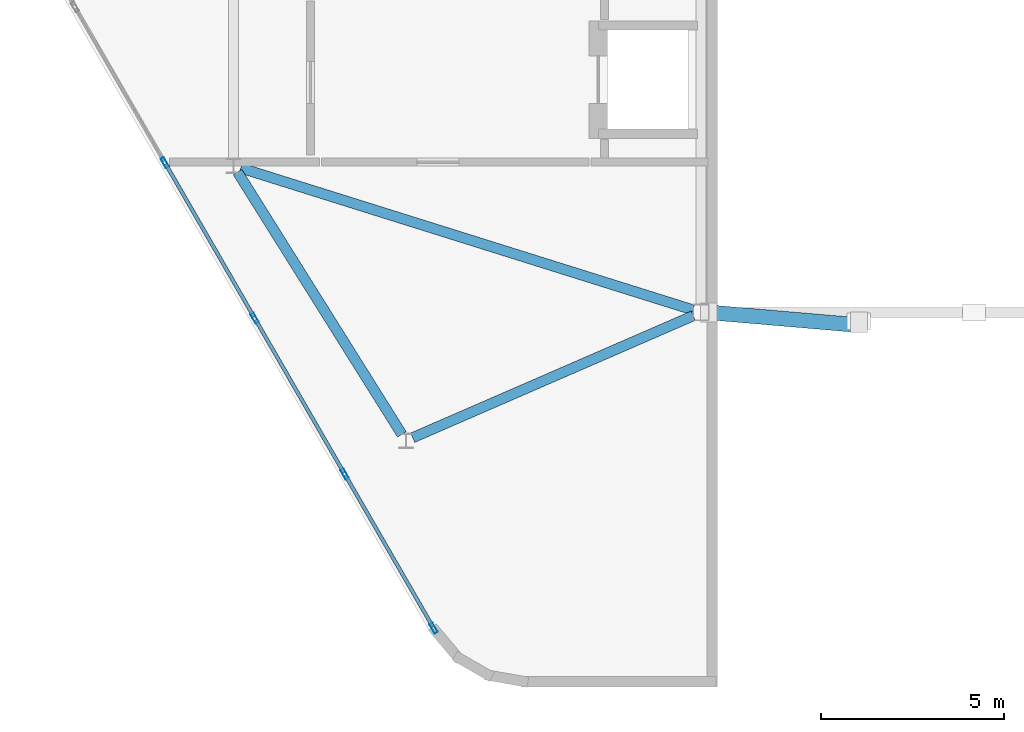
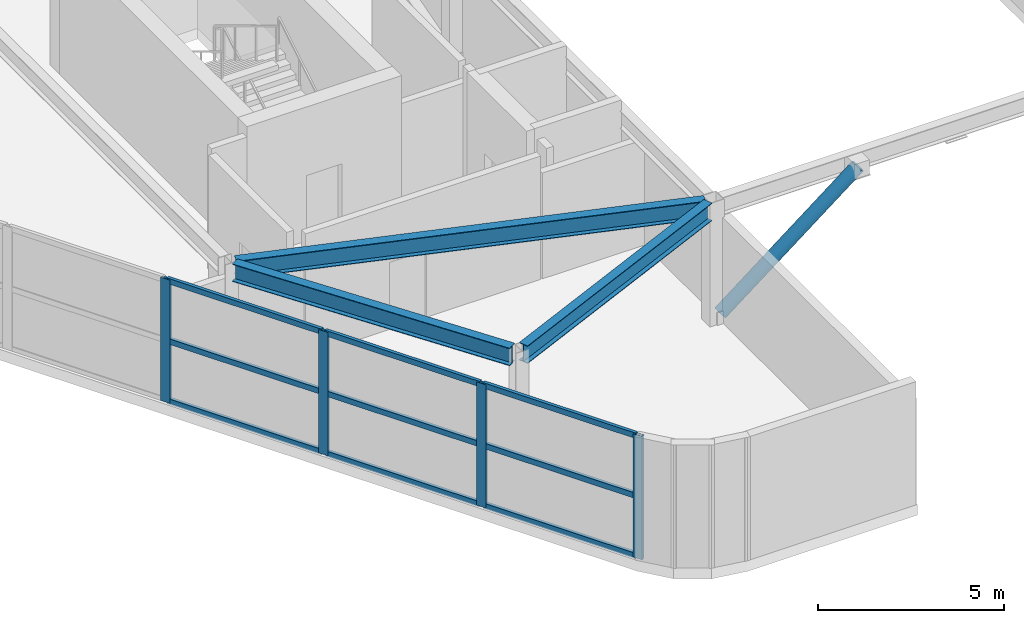
# One storey, part 3 of 16: 14 members, 3 beams, 1 element without a shape of its own.
"""IFC4 building model written with IfcOpenShell, lengths in metres."""

from ifc_helpers import new_model, si_unit, direction, frame, origin, origin_2d, place, context, subcontext, project, spatial, hollow_rectangle, hollow_circle, i_section, extrude, material, material_profile, profile_set, type_object, element, aggregate, save


model = new_model("IFC4")

# Units and contexts
model_context = context("Model", 3, precision=1e-05, world=origin(), true_north=direction((0.0, 1.0)))
body_context = subcontext(model_context, "Body", "Model", "MODEL_VIEW")
ifc_project = project(units=[si_unit("LENGTHUNIT", "METRE"), si_unit("AREAUNIT", "SQUARE_METRE"), si_unit("VOLUMEUNIT", "CUBIC_METRE"), si_unit("PLANEANGLEUNIT", "RADIAN"), si_unit("MASSUNIT", "GRAM", prefix="KILO")], contexts=[model_context])

# Site, building, storey
site_placement = place(None, origin())
site = spatial("IfcSite", under=ifc_project, at=site_placement, CompositionType="ELEMENT")
building_placement = place(site_placement, origin())
building = spatial("IfcBuilding", under=site, at=building_placement, Name="Zuhravey Tower", CompositionType="ELEMENT")
storey_placement = place(building_placement, frame((0.0, 0.0, 370.199951171875)))
storey = spatial("IfcBuildingStorey", under=building, at=storey_placement, Name="L94", CompositionType="ELEMENT", Elevation=370.199951171875)

# Curtain wall, members
ifc_material_1 = material(Name="Thermally broken anodised aluminium", Category="aluminium")
curtain_wall_type = type_object("IfcCurtainWallType", Name="Split-Top Crown Screened Curtain Wall CW6", PredefinedType="NOTDEFINED", material=ifc_material_1)
curtain_wall_placement = place(storey_placement, origin())
curtain_wall = element("IfcCurtainWall", 1, at=curtain_wall_placement, inside=storey, type_object=curtain_wall_type, Name="L94 CW6 CW6-L94-WEST-04", PredefinedType="NOTDEFINED")
ifc_material_2 = material(Name="Anodised aluminium", Category="aluminium")
ifc_material_profile_1 = material_profile(ifc_material_2, hollow_rectangle(XDim=0.10009765625, YDim=0.2900390625, WallThickness=0.006103515625, at=origin_2d()), Name="ALU-RHS-100x290x6")
ifc_profile_set_1 = profile_set([ifc_material_profile_1], Name="Anodised aluminium")
member_type_1 = type_object("IfcMemberType", Name="Heavy Tall-Storey Mullion 100x220", PredefinedType="MULLION", material=ifc_profile_set_1)
member_1_placement = place(storey_placement, frame((21.258544921875, 9.384765625, 0.0), z_axis=(0.0, 0.0, 1.0), x_axis=(-0.866027063754, -0.499997124838, 0.0)))
member_1 = element("IfcMember", 2, at=member_1_placement, type_object=member_type_1, Name="CW6 mullion 1", PredefinedType="MULLION", context=body_context, shape_type="SweptSolid", body=[
    extrude(hollow_rectangle(XDim=0.10009765625, YDim=0.2900390625, WallThickness=0.006103515625, at=origin_2d()), origin(), (0.0, 0.0, 1.0), 4.050048828125),
])
member_2_placement = place(storey_placement, frame((18.83056640625, 13.590087890625, 0.0), z_axis=(0.0, 0.0, 1.0), x_axis=(-0.866027063754, -0.499997124838, 0.0)))
member_2 = element("IfcMember", 3, at=member_2_placement, type_object=member_type_1, Name="CW6 mullion 2", PredefinedType="MULLION", context=body_context, shape_type="SweptSolid", body=[
    extrude(hollow_rectangle(XDim=0.10009765625, YDim=0.2900390625, WallThickness=0.006103515625, at=origin_2d()), origin(), (0.0, 0.0, 1.0), 4.050048828125),
])
member_3_placement = place(storey_placement, frame((16.377685546875, 17.838623046875, 0.0), z_axis=(0.0, 0.0, 1.0), x_axis=(-0.866027063754, -0.499997124838, 0.0)))
member_3 = element("IfcMember", 4, at=member_3_placement, type_object=member_type_1, Name="CW6 mullion 3", PredefinedType="MULLION", context=body_context, shape_type="SweptSolid", body=[
    extrude(hollow_rectangle(XDim=0.10009765625, YDim=0.2900390625, WallThickness=0.006103515625, at=origin_2d()), origin(), (0.0, 0.0, 1.0), 4.050048828125),
])
member_4_placement = place(storey_placement, frame((13.9248046875, 22.087158203125, 0.0), z_axis=(0.0, 0.0, 1.0), x_axis=(-0.866027063754, -0.499997124838, 0.0)))
member_4 = element("IfcMember", 5, at=member_4_placement, type_object=member_type_1, Name="CW6 mullion 4", PredefinedType="MULLION", context=body_context, shape_type="SweptSolid", body=[
    extrude(hollow_rectangle(XDim=0.10009765625, YDim=0.2900390625, WallThickness=0.006103515625, at=origin_2d()), origin(), (0.0, 0.0, 1.0), 4.050048828125),
])

# Beams
ifc_material_3 = material(Name="Steel SM355", Category="steel")
ifc_material_profile_2 = material_profile(ifc_material_3, i_section(OverallWidth=0.280029296875, OverallDepth=0.580078125, WebThickness=0.011962890625, FlangeThickness=0.01904296875, at=origin_2d()), Name="H-580x280x12x19")
ifc_profile_set_2 = profile_set([ifc_material_profile_2], Name="Steel SM355")
beam_type = type_object("IfcBeamType", Name="Perimeter Ring Beam H580x280", PredefinedType="BEAM", material=ifc_profile_set_2)
beam_1_placement = place(storey_placement, frame((15.908447265625, 21.8271484375, 3.760009765625), z_axis=(0.530996685116, -0.847373896457, 0.0), x_axis=(0.847373896457, 0.530996685116, 0.0)))
element("IfcBeam", 6, at=beam_1_placement, inside=storey, type_object=beam_type, Name="L94 PB4 BM-L94-WCR-0-2", PredefinedType="BEAM", context=body_context, shape_type="SweptSolid", body=[
    extrude(i_section(OverallWidth=0.280029296875, OverallDepth=0.580078125, WebThickness=0.011962890625, FlangeThickness=0.01904296875, at=origin_2d()), origin(), (0.0, 0.0, 1.0), 8.44287109375),
])
beam_2_placement = place(storey_placement, frame((20.68701171875, 14.581298828125, 3.760009765625), z_axis=(0.91707145158, 0.398722902147, 0.0), x_axis=(-0.398722902147, 0.91707145158, 0.0)))
element("IfcBeam", 7, at=beam_2_placement, inside=storey, type_object=beam_type, Name="L94 PB4 BM-L94-WCR-2-4", PredefinedType="BEAM", context=body_context, shape_type="SweptSolid", body=[
    extrude(i_section(OverallWidth=0.280029296875, OverallDepth=0.580078125, WebThickness=0.011962890625, FlangeThickness=0.01904296875, at=origin_2d()), origin(), (0.0, 0.0, 1.0), 8.34521484375),
])
beam_3_placement = place(storey_placement, frame((15.99462890625, 21.93896484375, 3.760009765625), z_axis=(0.954147439285, -0.299337040984, 0.0), x_axis=(0.299337040984, 0.954147439285, 0.0)))
element("IfcBeam", 8, at=beam_3_placement, inside=storey, type_object=beam_type, Name="L94 PB4 BM-L94-WCR-0-4", PredefinedType="BEAM", context=body_context, shape_type="SweptSolid", body=[
    extrude(i_section(OverallWidth=0.280029296875, OverallDepth=0.580078125, WebThickness=0.011962890625, FlangeThickness=0.01904296875, at=origin_2d()), origin(), (0.0, 0.0, 1.0), 12.9296875),
])

# Member
ifc_material_profile_3 = material_profile(ifc_material_2, hollow_rectangle(XDim=0.10009765625, YDim=0.179931640625, WallThickness=0.006103515625, at=origin_2d()), Name="ALU-RHS-100x180x6")
ifc_profile_set_3 = profile_set([ifc_material_profile_3], Name="Anodised aluminium")
member_type_2 = type_object("IfcMemberType", Name="Tall-Storey Transom 100x180", PredefinedType="USERDEFINED", material=ifc_profile_set_3)
member_5_placement = place(storey_placement, frame((21.2333984375, 9.42822265625, 0.050048828125), z_axis=(-0.499965384433, 0.866045388169, 0.0), x_axis=(-0.866045388169, -0.499965384433, 0.0)))
member_5 = element("IfcMember", 9, at=member_5_placement, type_object=member_type_2, Name="CW6 transom 1.1", ObjectType="TRANSOM", PredefinedType="USERDEFINED", context=body_context, shape_type="SweptSolid", body=[
    extrude(hollow_rectangle(XDim=0.10009765625, YDim=0.179931640625, WallThickness=0.006103515625, at=origin_2d()), origin(), (0.0, 0.0, 1.0), 4.755615234375),
])

member_6_placement = place(storey_placement, frame((21.2333984375, 9.42822265625, 2.025146484375), z_axis=(-0.499965384433, 0.866045388169, 0.0), x_axis=(-0.866045388169, -0.499965384433, 0.0)))
member_6 = element("IfcMember", 10, at=member_6_placement, type_object=member_type_2, Name="CW6 transom 1.2", ObjectType="TRANSOM", PredefinedType="USERDEFINED", context=body_context, shape_type="SweptSolid", body=[
    extrude(hollow_rectangle(XDim=0.10009765625, YDim=0.179931640625, WallThickness=0.006103515625, at=origin_2d()), origin(), (0.0, 0.0, 1.0), 4.755615234375),
])

member_7_placement = place(storey_placement, frame((21.2333984375, 9.42822265625, 4.0), z_axis=(-0.499965384433, 0.866045388169, 0.0), x_axis=(-0.866045388169, -0.499965384433, 0.0)))
member_7 = element("IfcMember", 11, at=member_7_placement, type_object=member_type_2, Name="CW6 transom 1.3", ObjectType="TRANSOM", PredefinedType="USERDEFINED", context=body_context, shape_type="SweptSolid", body=[
    extrude(hollow_rectangle(XDim=0.10009765625, YDim=0.179931640625, WallThickness=0.006103515625, at=origin_2d()), origin(), (0.0, 0.0, 1.0), 4.755615234375),
])

member_8_placement = place(storey_placement, frame((18.8056640625, 13.63330078125, 0.050048828125), z_axis=(-0.500012672123, 0.866018087407, 0.0), x_axis=(-0.866018087407, -0.500012672123, 0.0)))
member_8 = element("IfcMember", 12, at=member_8_placement, type_object=member_type_2, Name="CW6 transom 2.1", ObjectType="TRANSOM", PredefinedType="USERDEFINED", context=body_context, shape_type="SweptSolid", body=[
    extrude(hollow_rectangle(XDim=0.10009765625, YDim=0.179931640625, WallThickness=0.006103515625, at=origin_2d()), origin(), (0.0, 0.0, 1.0), 4.80615234375),
])

member_9_placement = place(storey_placement, frame((18.8056640625, 13.63330078125, 2.025146484375), z_axis=(-0.500012672123, 0.866018087407, 0.0), x_axis=(-0.866018087407, -0.500012672123, 0.0)))
member_9 = element("IfcMember", 13, at=member_9_placement, type_object=member_type_2, Name="CW6 transom 2.2", ObjectType="TRANSOM", PredefinedType="USERDEFINED", context=body_context, shape_type="SweptSolid", body=[
    extrude(hollow_rectangle(XDim=0.10009765625, YDim=0.179931640625, WallThickness=0.006103515625, at=origin_2d()), origin(), (0.0, 0.0, 1.0), 4.80615234375),
])

member_10_placement = place(storey_placement, frame((18.8056640625, 13.63330078125, 4.0), z_axis=(-0.500012672123, 0.866018087407, 0.0), x_axis=(-0.866018087407, -0.500012672123, 0.0)))
member_10 = element("IfcMember", 14, at=member_10_placement, type_object=member_type_2, Name="CW6 transom 2.3", ObjectType="TRANSOM", PredefinedType="USERDEFINED", context=body_context, shape_type="SweptSolid", body=[
    extrude(hollow_rectangle(XDim=0.10009765625, YDim=0.179931640625, WallThickness=0.006103515625, at=origin_2d()), origin(), (0.0, 0.0, 1.0), 4.80615234375),
])

member_11_placement = place(storey_placement, frame((16.352783203125, 17.882080078125, 0.050048828125), z_axis=(-0.50003466983, 0.866005386223, 0.0), x_axis=(-0.866005386223, -0.50003466983, 0.0)))
member_11 = element("IfcMember", 15, at=member_11_placement, type_object=member_type_2, Name="CW6 transom 3.1", ObjectType="TRANSOM", PredefinedType="USERDEFINED", context=body_context, shape_type="SweptSolid", body=[
    extrude(hollow_rectangle(XDim=0.10009765625, YDim=0.179931640625, WallThickness=0.006103515625, at=origin_2d()), origin(), (0.0, 0.0, 1.0), 4.805908203125),
])

member_12_placement = place(storey_placement, frame((16.352783203125, 17.882080078125, 2.025146484375), z_axis=(-0.50003466983, 0.866005386223, 0.0), x_axis=(-0.866005386223, -0.50003466983, 0.0)))
member_12 = element("IfcMember", 16, at=member_12_placement, type_object=member_type_2, Name="CW6 transom 3.2", ObjectType="TRANSOM", PredefinedType="USERDEFINED", context=body_context, shape_type="SweptSolid", body=[
    extrude(hollow_rectangle(XDim=0.10009765625, YDim=0.179931640625, WallThickness=0.006103515625, at=origin_2d()), origin(), (0.0, 0.0, 1.0), 4.805908203125),
])

member_13_placement = place(storey_placement, frame((16.352783203125, 17.882080078125, 4.0), z_axis=(-0.50003466983, 0.866005386223, 0.0), x_axis=(-0.866005386223, -0.50003466983, 0.0)))
member_13 = element("IfcMember", 17, at=member_13_placement, type_object=member_type_2, Name="CW6 transom 3.3", ObjectType="TRANSOM", PredefinedType="USERDEFINED", context=body_context, shape_type="SweptSolid", body=[
    extrude(hollow_rectangle(XDim=0.10009765625, YDim=0.179931640625, WallThickness=0.006103515625, at=origin_2d()), origin(), (0.0, 0.0, 1.0), 4.805908203125),
])

aggregate(curtain_wall, [member_1, member_2, member_3, member_4, member_5, member_6, member_7, member_8, member_9, member_10, member_11, member_12, member_13])

ifc_material_profile_4 = material_profile(ifc_material_3, hollow_circle(Radius=0.203125, WallThickness=0.02001953125, at=origin_2d()), Name="CHS-406.4x20")
ifc_profile_set_4 = profile_set([ifc_material_profile_4], Name="Steel SM355")
member_type_3 = type_object("IfcMemberType", Name="Wind-Portal Arch Brace CHS406x20", PredefinedType="BRACE", material=ifc_profile_set_4)
member_14_placement = place(storey_placement, frame((28.780517578125, 17.999755859375, 0.181396484375), z_axis=(0.747122272379, -0.063852005514, 0.661612599265), x_axis=(0.085153511528, 0.996367843457, 0.0)))
element("IfcMember", 18, at=member_14_placement, inside=storey, type_object=member_type_3, Name="L94 Wind-Portal Arch Brace WPB1-1W", PredefinedType="BRACE", context=body_context, shape_type="SweptSolid", body=[
    extrude(hollow_circle(Radius=0.203125, WallThickness=0.02001953125, at=origin_2d()), origin(), (0.0, 0.0, 1.0), 5.44482421875),
])

save(model, "model.ifc")
